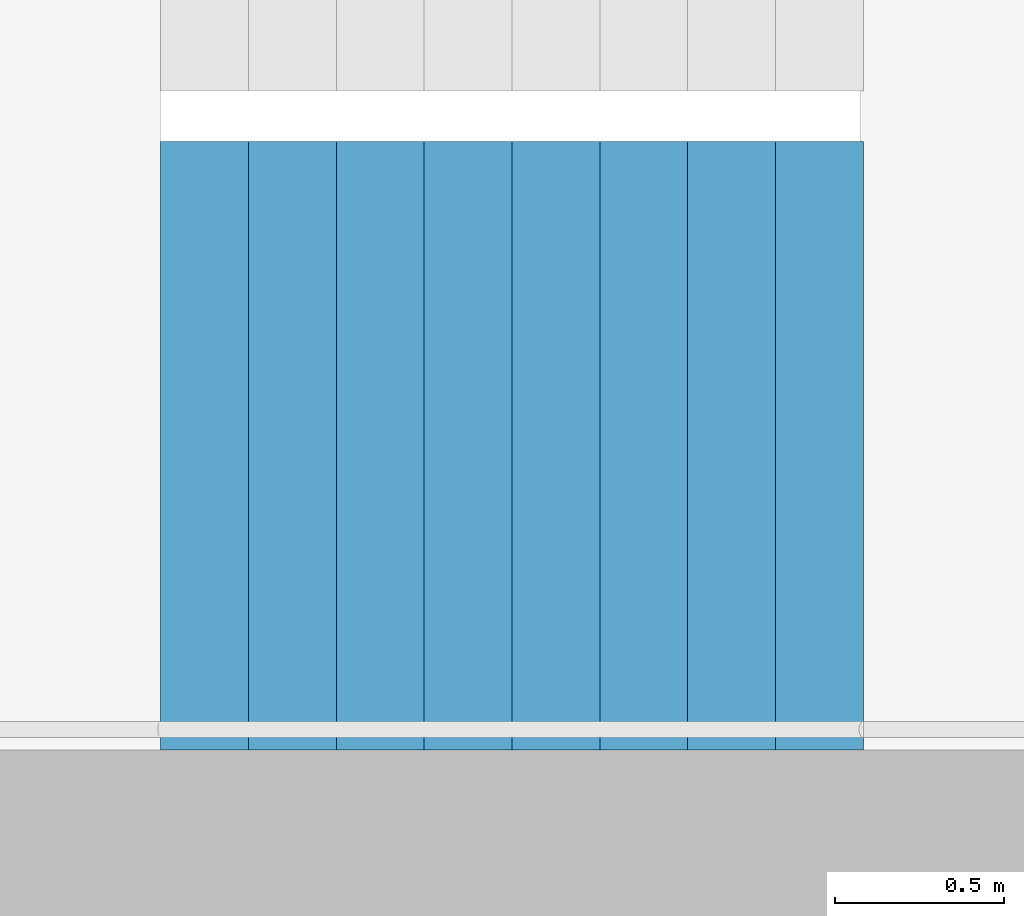
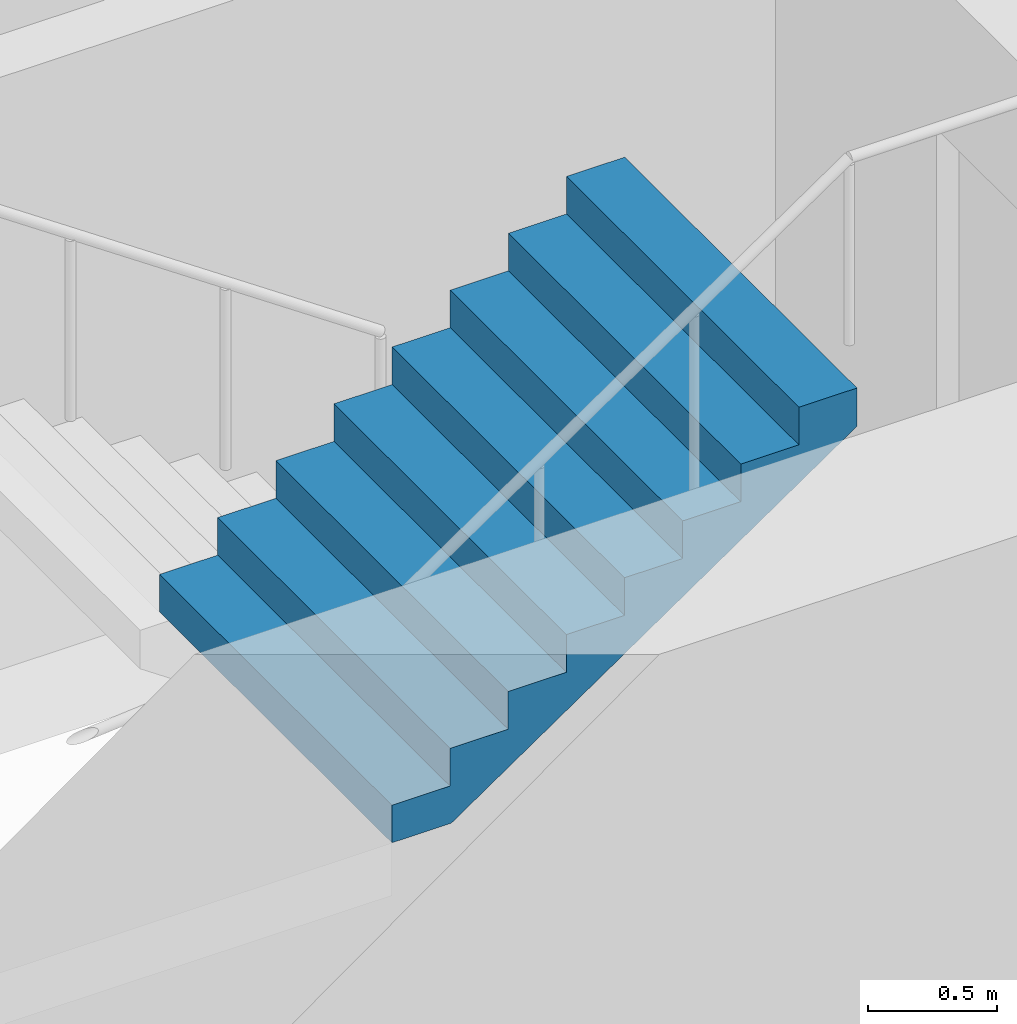
# One storey, part 20 of 28: 1 stair flight, 1 element without a shape of its own.
"""IFC4 building model written with IfcOpenShell, lengths in metres."""

from ifc_helpers import new_model, si_unit, direction, frame, origin, place, context, subcontext, project, spatial, triangles, material, type_object, element, aggregate, save


model = new_model("IFC4")

# Units and contexts
model_context = context("Model", 3, precision=1e-05, world=origin(), true_north=direction((0.0, 1.0)))
body_context = subcontext(model_context, "Body", "Model", "MODEL_VIEW")
ifc_project = project(units=[si_unit("LENGTHUNIT", "METRE"), si_unit("AREAUNIT", "SQUARE_METRE"), si_unit("VOLUMEUNIT", "CUBIC_METRE"), si_unit("PLANEANGLEUNIT", "RADIAN"), si_unit("MASSUNIT", "GRAM", prefix="KILO")], contexts=[model_context])

# Site, building, storey
site_placement = place(None, origin())
site = spatial("IfcSite", under=ifc_project, at=site_placement, CompositionType="ELEMENT")
building_placement = place(site_placement, origin())
building = spatial("IfcBuilding", under=site, at=building_placement, Name="Hakoniwa Tower and Hamabe Station Hall", CompositionType="ELEMENT")
storey_placement = place(building_placement, frame((0.0, 0.0, 58.199951171875)))
storey = spatial("IfcBuildingStorey", under=building, at=storey_placement, Name="L16", CompositionType="ELEMENT", Elevation=58.199951171875)

# Stair, stair flight
ifc_material_1 = material(Name="Concrete C40", Category="concrete")
stair_type = type_object("IfcStairType", Name="ESCAPE STAIR 1800", PredefinedType="HALF_TURN_STAIR", material=ifc_material_1)
stair_placement = place(storey_placement, origin())
stair = element("IfcStair", 1, at=stair_placement, inside=storey, type_object=stair_type, Name="Escape stair ST-2 L16", PredefinedType="HALF_TURN_STAIR")
ifc_material_2 = material(Name="Concrete C40", Category="concrete")
stair_flight_type = type_object("IfcStairFlightType", Name="STAIR FLIGHT 1800", PredefinedType="STRAIGHT", material=ifc_material_2)
stair_flight_placement = place(storey_placement, frame((-25.47998046875, -6.60009765625, 1.60009765625), z_axis=(0.0, 0.0, 1.0), x_axis=(1.0, 0.0, 0.0)))
stair_flight = element("IfcStairFlight", 2, at=stair_flight_placement, type_object=stair_flight_type, Name="ST-2 flight 2", NumberOfRisers=9, NumberOfTreads=8, PredefinedType="STRAIGHT", RiserHeight=0.177777778, TreadLength=0.26, context=body_context, shape_type="Tessellation", body=[
    triangles([(0.0, 0.89990234375, 0.0), (0.260009765625, 0.89990234375, 0.0), (0.265625, 0.89990234375, 0.0), (0.52001953125, 0.89990234375, 0.174072265625), (0.780029296875, 0.89990234375, 0.351806640625), (1.0400390625, 0.89990234375, 0.529541015625), (1.300048828125, 0.89990234375, 0.707275390625), (1.56005859375, 0.89990234375, 0.885009765625), (1.820068359375, 0.89990234375, 1.062744140625), (2.080078125, 0.89990234375, 1.24072265625), (2.080078125, 0.89990234375, 1.422119140625), (1.820068359375, 0.89990234375, 1.422119140625), (1.820068359375, 0.89990234375, 1.244384765625), (1.56005859375, 0.89990234375, 1.244384765625), (1.56005859375, 0.89990234375, 1.066650390625), (1.300048828125, 0.89990234375, 1.066650390625), (1.300048828125, 0.89990234375, 0.888916015625), (1.0400390625, 0.89990234375, 0.888916015625), (1.0400390625, 0.89990234375, 0.711181640625), (0.780029296875, 0.89990234375, 0.711181640625), (0.780029296875, 0.89990234375, 0.533447265625), (0.52001953125, 0.89990234375, 0.533447265625), (0.52001953125, 0.89990234375, 0.35546875), (0.265625, 0.89990234375, 0.35546875), (0.260009765625, 0.89990234375, 0.35546875), (0.260009765625, 0.89990234375, 0.177734375), (0.0, 0.89990234375, 0.177734375), (0.0, 0.06005859375, 0.0), (0.260009765625, 0.06005859375, 0.0), (0.265625, 0.06005859375, 0.0), (0.52001953125, 0.06005859375, 0.174072265625), (0.780029296875, 0.06005859375, 0.351806640625), (1.0400390625, 0.06005859375, 0.529541015625), (1.300048828125, 0.06005859375, 0.707275390625), (1.56005859375, 0.06005859375, 0.885009765625), (1.820068359375, 0.06005859375, 1.062744140625), (2.080078125, 0.06005859375, 1.24072265625), (2.080078125, 0.06005859375, 1.422119140625), (1.820068359375, 0.06005859375, 1.422119140625), (1.820068359375, 0.06005859375, 1.244384765625), (1.56005859375, 0.06005859375, 1.244384765625), (1.56005859375, 0.06005859375, 1.066650390625), (1.300048828125, 0.06005859375, 1.066650390625), (1.300048828125, 0.06005859375, 0.888916015625), (1.0400390625, 0.06005859375, 0.888916015625), (1.0400390625, 0.06005859375, 0.711181640625), (0.780029296875, 0.06005859375, 0.711181640625), (0.780029296875, 0.06005859375, 0.533447265625), (0.52001953125, 0.06005859375, 0.533447265625), (0.52001953125, 0.06005859375, 0.35546875), (0.265625, 0.06005859375, 0.35546875), (0.260009765625, 0.06005859375, 0.35546875), (0.260009765625, 0.06005859375, 0.177734375), (0.0, 0.06005859375, 0.177734375), (0.0, 0.04296875, 0.0), (0.260009765625, 0.04296875, 0.0), (0.265625, 0.04296875, 0.0), (0.52001953125, 0.04296875, 0.174072265625), (0.780029296875, 0.04296875, 0.351806640625), (1.0400390625, 0.04296875, 0.529541015625), (1.300048828125, 0.04296875, 0.707275390625), (1.56005859375, 0.04296875, 0.885009765625), (1.820068359375, 0.04296875, 1.062744140625), (2.080078125, 0.04296875, 1.24072265625), (2.080078125, 0.04296875, 1.422119140625), (1.820068359375, 0.04296875, 1.422119140625), (1.820068359375, 0.04296875, 1.244384765625), (1.56005859375, 0.04296875, 1.244384765625), (1.56005859375, 0.04296875, 1.066650390625), (1.300048828125, 0.04296875, 1.066650390625), (1.300048828125, 0.04296875, 0.888916015625), (1.0400390625, 0.04296875, 0.888916015625), (1.0400390625, 0.04296875, 0.711181640625), (0.780029296875, 0.04296875, 0.711181640625), (0.780029296875, 0.04296875, 0.533447265625), (0.52001953125, 0.04296875, 0.533447265625), (0.52001953125, 0.04296875, 0.35546875), (0.265625, 0.04296875, 0.35546875), (0.260009765625, 0.04296875, 0.35546875), (0.260009765625, 0.04296875, 0.177734375), (0.0, 0.04296875, 0.177734375), (0.0, 0.025634765625, 0.0), (0.260009765625, 0.025634765625, 0.0), (0.265625, 0.025634765625, 0.0), (0.52001953125, 0.025634765625, 0.174072265625), (0.780029296875, 0.025634765625, 0.351806640625), (1.0400390625, 0.025634765625, 0.529541015625), (1.300048828125, 0.025634765625, 0.707275390625), (1.56005859375, 0.025634765625, 0.885009765625), (1.820068359375, 0.025634765625, 1.062744140625), (2.080078125, 0.025634765625, 1.24072265625), (2.080078125, 0.025634765625, 1.422119140625), (1.820068359375, 0.025634765625, 1.422119140625), (1.820068359375, 0.025634765625, 1.244384765625), (1.56005859375, 0.025634765625, 1.244384765625), (1.56005859375, 0.025634765625, 1.066650390625), (1.300048828125, 0.025634765625, 1.066650390625), (1.300048828125, 0.025634765625, 0.888916015625), (1.0400390625, 0.025634765625, 0.888916015625), (1.0400390625, 0.025634765625, 0.711181640625), (0.780029296875, 0.025634765625, 0.711181640625), (0.780029296875, 0.025634765625, 0.533447265625), (0.52001953125, 0.025634765625, 0.533447265625), (0.52001953125, 0.025634765625, 0.35546875), (0.265625, 0.025634765625, 0.35546875), (0.260009765625, 0.025634765625, 0.35546875), (0.260009765625, 0.025634765625, 0.177734375), (0.0, 0.025634765625, 0.177734375), (0.0, 0.008544921875, 0.0), (0.260009765625, 0.008544921875, 0.0), (0.265625, 0.008544921875, 0.0), (0.52001953125, 0.008544921875, 0.174072265625), (0.780029296875, 0.008544921875, 0.351806640625), (1.0400390625, 0.008544921875, 0.529541015625), (1.300048828125, 0.008544921875, 0.707275390625), (1.56005859375, 0.008544921875, 0.885009765625), (1.820068359375, 0.008544921875, 1.062744140625), (2.080078125, 0.008544921875, 1.24072265625), (2.080078125, 0.008544921875, 1.422119140625), (1.820068359375, 0.008544921875, 1.422119140625), (1.820068359375, 0.008544921875, 1.244384765625), (1.56005859375, 0.008544921875, 1.244384765625), (1.56005859375, 0.008544921875, 1.066650390625), (1.300048828125, 0.008544921875, 1.066650390625), (1.300048828125, 0.008544921875, 0.888916015625), (1.0400390625, 0.008544921875, 0.888916015625), (1.0400390625, 0.008544921875, 0.711181640625), (0.780029296875, 0.008544921875, 0.711181640625), (0.780029296875, 0.008544921875, 0.533447265625), (0.52001953125, 0.008544921875, 0.533447265625), (0.52001953125, 0.008544921875, 0.35546875), (0.265625, 0.008544921875, 0.35546875), (0.260009765625, 0.008544921875, 0.35546875), (0.260009765625, 0.008544921875, 0.177734375), (0.0, 0.008544921875, 0.177734375), (0.0, -0.008544921875, 0.0), (0.260009765625, -0.008544921875, 0.0), (0.265625, -0.008544921875, 0.0), (0.52001953125, -0.008544921875, 0.174072265625), (0.780029296875, -0.008544921875, 0.351806640625), (1.0400390625, -0.008544921875, 0.529541015625), (1.300048828125, -0.008544921875, 0.707275390625), (1.56005859375, -0.008544921875, 0.885009765625), (1.820068359375, -0.008544921875, 1.062744140625), (2.080078125, -0.008544921875, 1.24072265625), (2.080078125, -0.008544921875, 1.422119140625), (1.820068359375, -0.008544921875, 1.422119140625), (1.820068359375, -0.008544921875, 1.244384765625), (1.56005859375, -0.008544921875, 1.244384765625), (1.56005859375, -0.008544921875, 1.066650390625), (1.300048828125, -0.008544921875, 1.066650390625), (1.300048828125, -0.008544921875, 0.888916015625), (1.0400390625, -0.008544921875, 0.888916015625), (1.0400390625, -0.008544921875, 0.711181640625), (0.780029296875, -0.008544921875, 0.711181640625), (0.780029296875, -0.008544921875, 0.533447265625), (0.52001953125, -0.008544921875, 0.533447265625), (0.52001953125, -0.008544921875, 0.35546875), (0.265625, -0.008544921875, 0.35546875), (0.260009765625, -0.008544921875, 0.35546875), (0.260009765625, -0.008544921875, 0.177734375), (0.0, -0.008544921875, 0.177734375), (0.0, -0.025634765625, 0.0), (0.260009765625, -0.025634765625, 0.0), (0.265625, -0.025634765625, 0.0), (0.52001953125, -0.025634765625, 0.174072265625), (0.780029296875, -0.025634765625, 0.351806640625), (1.0400390625, -0.025634765625, 0.529541015625), (1.300048828125, -0.025634765625, 0.707275390625), (1.56005859375, -0.025634765625, 0.885009765625), (1.820068359375, -0.025634765625, 1.062744140625), (2.080078125, -0.025634765625, 1.24072265625), (2.080078125, -0.025634765625, 1.422119140625), (1.820068359375, -0.025634765625, 1.422119140625), (1.820068359375, -0.025634765625, 1.244384765625), (1.56005859375, -0.025634765625, 1.244384765625), (1.56005859375, -0.025634765625, 1.066650390625), (1.300048828125, -0.025634765625, 1.066650390625), (1.300048828125, -0.025634765625, 0.888916015625), (1.0400390625, -0.025634765625, 0.888916015625), (1.0400390625, -0.025634765625, 0.711181640625), (0.780029296875, -0.025634765625, 0.711181640625), (0.780029296875, -0.025634765625, 0.533447265625), (0.52001953125, -0.025634765625, 0.533447265625), (0.52001953125, -0.025634765625, 0.35546875), (0.265625, -0.025634765625, 0.35546875), (0.260009765625, -0.025634765625, 0.35546875), (0.260009765625, -0.025634765625, 0.177734375), (0.0, -0.025634765625, 0.177734375), (0.0, -0.04296875, 0.0), (0.260009765625, -0.04296875, 0.0), (0.265625, -0.04296875, 0.0), (0.52001953125, -0.04296875, 0.174072265625), (0.780029296875, -0.04296875, 0.351806640625), (1.0400390625, -0.04296875, 0.529541015625), (1.300048828125, -0.04296875, 0.707275390625), (1.56005859375, -0.04296875, 0.885009765625), (1.820068359375, -0.04296875, 1.062744140625), (2.080078125, -0.04296875, 1.24072265625), (2.080078125, -0.04296875, 1.422119140625), (1.820068359375, -0.04296875, 1.422119140625), (1.820068359375, -0.04296875, 1.244384765625), (1.56005859375, -0.04296875, 1.244384765625), (1.56005859375, -0.04296875, 1.066650390625), (1.300048828125, -0.04296875, 1.066650390625), (1.300048828125, -0.04296875, 0.888916015625), (1.0400390625, -0.04296875, 0.888916015625), (1.0400390625, -0.04296875, 0.711181640625), (0.780029296875, -0.04296875, 0.711181640625), (0.780029296875, -0.04296875, 0.533447265625), (0.52001953125, -0.04296875, 0.533447265625), (0.52001953125, -0.04296875, 0.35546875), (0.265625, -0.04296875, 0.35546875), (0.260009765625, -0.04296875, 0.35546875), (0.260009765625, -0.04296875, 0.177734375), (0.0, -0.04296875, 0.177734375), (0.0, -0.06005859375, 0.0), (0.260009765625, -0.06005859375, 0.0), (0.265625, -0.06005859375, 0.0), (0.52001953125, -0.06005859375, 0.174072265625), (0.780029296875, -0.06005859375, 0.351806640625), (1.0400390625, -0.06005859375, 0.529541015625), (1.300048828125, -0.06005859375, 0.707275390625), (1.56005859375, -0.06005859375, 0.885009765625), (1.820068359375, -0.06005859375, 1.062744140625), (2.080078125, -0.06005859375, 1.24072265625), (2.080078125, -0.06005859375, 1.422119140625), (1.820068359375, -0.06005859375, 1.422119140625), (1.820068359375, -0.06005859375, 1.244384765625), (1.56005859375, -0.06005859375, 1.244384765625), (1.56005859375, -0.06005859375, 1.066650390625), (1.300048828125, -0.06005859375, 1.066650390625), (1.300048828125, -0.06005859375, 0.888916015625), (1.0400390625, -0.06005859375, 0.888916015625), (1.0400390625, -0.06005859375, 0.711181640625), (0.780029296875, -0.06005859375, 0.711181640625), (0.780029296875, -0.06005859375, 0.533447265625), (0.52001953125, -0.06005859375, 0.533447265625), (0.52001953125, -0.06005859375, 0.35546875), (0.265625, -0.06005859375, 0.35546875), (0.260009765625, -0.06005859375, 0.35546875), (0.260009765625, -0.06005859375, 0.177734375), (0.0, -0.06005859375, 0.177734375), (0.0, -0.89990234375, 0.0), (0.260009765625, -0.89990234375, 0.0), (0.265625, -0.89990234375, 0.0), (0.52001953125, -0.89990234375, 0.174072265625), (0.780029296875, -0.89990234375, 0.351806640625), (1.0400390625, -0.89990234375, 0.529541015625), (1.300048828125, -0.89990234375, 0.707275390625), (1.56005859375, -0.89990234375, 0.885009765625), (1.820068359375, -0.89990234375, 1.062744140625), (2.080078125, -0.89990234375, 1.24072265625), (2.080078125, -0.89990234375, 1.422119140625), (1.820068359375, -0.89990234375, 1.422119140625), (1.820068359375, -0.89990234375, 1.244384765625), (1.56005859375, -0.89990234375, 1.244384765625), (1.56005859375, -0.89990234375, 1.066650390625), (1.300048828125, -0.89990234375, 1.066650390625), (1.300048828125, -0.89990234375, 0.888916015625), (1.0400390625, -0.89990234375, 0.888916015625), (1.0400390625, -0.89990234375, 0.711181640625), (0.780029296875, -0.89990234375, 0.711181640625), (0.780029296875, -0.89990234375, 0.533447265625), (0.52001953125, -0.89990234375, 0.533447265625), (0.52001953125, -0.89990234375, 0.35546875), (0.265625, -0.89990234375, 0.35546875), (0.260009765625, -0.89990234375, 0.35546875), (0.260009765625, -0.89990234375, 0.177734375), (0.0, -0.89990234375, 0.177734375)], [[2, 27, 26], [245, 269, 270], [2, 1, 27], [245, 270, 244], [3, 25, 24], [246, 267, 268], [3, 26, 25], [246, 268, 269], [3, 2, 26], [246, 269, 245], [4, 24, 23], [247, 266, 267], [4, 3, 24], [247, 267, 246], [5, 22, 21], [248, 264, 265], [5, 23, 22], [248, 265, 266], [5, 4, 23], [248, 266, 247], [6, 20, 19], [249, 262, 263], [6, 21, 20], [249, 263, 264], [6, 5, 21], [249, 264, 248], [7, 18, 17], [250, 260, 261], [7, 19, 18], [250, 261, 262], [7, 6, 19], [250, 262, 249], [8, 16, 15], [251, 258, 259], [8, 17, 16], [251, 259, 260], [8, 7, 17], [251, 260, 250], [9, 14, 13], [252, 256, 257], [9, 15, 14], [252, 257, 258], [9, 8, 15], [252, 258, 251], [10, 12, 11], [253, 254, 255], [10, 13, 12], [253, 255, 256], [10, 9, 13], [253, 256, 252], [1, 2, 29], [1, 29, 28], [28, 29, 56], [28, 56, 55], [55, 56, 83], [55, 83, 82], [82, 83, 110], [82, 110, 109], [109, 110, 137], [109, 137, 136], [136, 137, 164], [136, 164, 163], [163, 164, 191], [163, 191, 190], [190, 191, 218], [190, 218, 217], [217, 218, 245], [217, 245, 244], [2, 3, 30], [2, 30, 29], [29, 30, 57], [29, 57, 56], [56, 57, 84], [56, 84, 83], [83, 84, 111], [83, 111, 110], [110, 111, 138], [110, 138, 137], [137, 138, 165], [137, 165, 164], [164, 165, 192], [164, 192, 191], [191, 192, 219], [191, 219, 218], [218, 219, 246], [218, 246, 245], [3, 4, 31], [3, 31, 30], [30, 31, 58], [30, 58, 57], [57, 58, 85], [57, 85, 84], [84, 85, 112], [84, 112, 111], [111, 112, 139], [111, 139, 138], [138, 139, 166], [138, 166, 165], [165, 166, 193], [165, 193, 192], [192, 193, 220], [192, 220, 219], [219, 220, 247], [219, 247, 246], [4, 5, 32], [4, 32, 31], [31, 32, 59], [31, 59, 58], [58, 59, 86], [58, 86, 85], [85, 86, 113], [85, 113, 112], [112, 113, 140], [112, 140, 139], [139, 140, 167], [139, 167, 166], [166, 167, 194], [166, 194, 193], [193, 194, 221], [193, 221, 220], [220, 221, 248], [220, 248, 247], [5, 6, 33], [5, 33, 32], [32, 33, 60], [32, 60, 59], [59, 60, 87], [59, 87, 86], [86, 87, 114], [86, 114, 113], [113, 114, 141], [113, 141, 140], [140, 141, 168], [140, 168, 167], [167, 168, 195], [167, 195, 194], [194, 195, 222], [194, 222, 221], [221, 222, 249], [221, 249, 248], [6, 7, 34], [6, 34, 33], [33, 34, 61], [33, 61, 60], [60, 61, 88], [60, 88, 87], [87, 88, 115], [87, 115, 114], [114, 115, 142], [114, 142, 141], [141, 142, 169], [141, 169, 168], [168, 169, 196], [168, 196, 195], [195, 196, 223], [195, 223, 222], [222, 223, 250], [222, 250, 249], [7, 8, 35], [7, 35, 34], [34, 35, 62], [34, 62, 61], [61, 62, 89], [61, 89, 88], [88, 89, 116], [88, 116, 115], [115, 116, 143], [115, 143, 142], [142, 143, 170], [142, 170, 169], [169, 170, 197], [169, 197, 196], [196, 197, 224], [196, 224, 223], [223, 224, 251], [223, 251, 250], [8, 9, 36], [8, 36, 35], [35, 36, 63], [35, 63, 62], [62, 63, 90], [62, 90, 89], [89, 90, 117], [89, 117, 116], [116, 117, 144], [116, 144, 143], [143, 144, 171], [143, 171, 170], [170, 171, 198], [170, 198, 197], [197, 198, 225], [197, 225, 224], [224, 225, 252], [224, 252, 251], [9, 10, 37], [9, 37, 36], [36, 37, 64], [36, 64, 63], [63, 64, 91], [63, 91, 90], [90, 91, 118], [90, 118, 117], [117, 118, 145], [117, 145, 144], [144, 145, 172], [144, 172, 171], [171, 172, 199], [171, 199, 198], [198, 199, 226], [198, 226, 225], [225, 226, 253], [225, 253, 252], [10, 11, 38], [10, 38, 37], [37, 38, 65], [37, 65, 64], [64, 65, 92], [64, 92, 91], [91, 92, 119], [91, 119, 118], [118, 119, 146], [118, 146, 145], [145, 146, 173], [145, 173, 172], [172, 173, 200], [172, 200, 199], [199, 200, 227], [199, 227, 226], [226, 227, 254], [226, 254, 253], [11, 12, 39], [11, 39, 38], [38, 39, 66], [38, 66, 65], [65, 66, 93], [65, 93, 92], [92, 93, 120], [92, 120, 119], [119, 120, 147], [119, 147, 146], [146, 147, 174], [146, 174, 173], [173, 174, 201], [173, 201, 200], [200, 201, 228], [200, 228, 227], [227, 228, 255], [227, 255, 254], [12, 13, 40], [12, 40, 39], [39, 40, 67], [39, 67, 66], [66, 67, 94], [66, 94, 93], [93, 94, 121], [93, 121, 120], [120, 121, 148], [120, 148, 147], [147, 148, 175], [147, 175, 174], [174, 175, 202], [174, 202, 201], [201, 202, 229], [201, 229, 228], [228, 229, 256], [228, 256, 255], [13, 14, 41], [13, 41, 40], [40, 41, 68], [40, 68, 67], [67, 68, 95], [67, 95, 94], [94, 95, 122], [94, 122, 121], [121, 122, 149], [121, 149, 148], [148, 149, 176], [148, 176, 175], [175, 176, 203], [175, 203, 202], [202, 203, 230], [202, 230, 229], [229, 230, 257], [229, 257, 256], [14, 15, 42], [14, 42, 41], [41, 42, 69], [41, 69, 68], [68, 69, 96], [68, 96, 95], [95, 96, 123], [95, 123, 122], [122, 123, 150], [122, 150, 149], [149, 150, 177], [149, 177, 176], [176, 177, 204], [176, 204, 203], [203, 204, 231], [203, 231, 230], [230, 231, 258], [230, 258, 257], [15, 16, 43], [15, 43, 42], [42, 43, 70], [42, 70, 69], [69, 70, 97], [69, 97, 96], [96, 97, 124], [96, 124, 123], [123, 124, 151], [123, 151, 150], [150, 151, 178], [150, 178, 177], [177, 178, 205], [177, 205, 204], [204, 205, 232], [204, 232, 231], [231, 232, 259], [231, 259, 258], [16, 17, 44], [16, 44, 43], [43, 44, 71], [43, 71, 70], [70, 71, 98], [70, 98, 97], [97, 98, 125], [97, 125, 124], [124, 125, 152], [124, 152, 151], [151, 152, 179], [151, 179, 178], [178, 179, 206], [178, 206, 205], [205, 206, 233], [205, 233, 232], [232, 233, 260], [232, 260, 259], [17, 18, 45], [17, 45, 44], [44, 45, 72], [44, 72, 71], [71, 72, 99], [71, 99, 98], [98, 99, 126], [98, 126, 125], [125, 126, 153], [125, 153, 152], [152, 153, 180], [152, 180, 179], [179, 180, 207], [179, 207, 206], [206, 207, 234], [206, 234, 233], [233, 234, 261], [233, 261, 260], [18, 19, 46], [18, 46, 45], [45, 46, 73], [45, 73, 72], [72, 73, 100], [72, 100, 99], [99, 100, 127], [99, 127, 126], [126, 127, 154], [126, 154, 153], [153, 154, 181], [153, 181, 180], [180, 181, 208], [180, 208, 207], [207, 208, 235], [207, 235, 234], [234, 235, 262], [234, 262, 261], [19, 20, 47], [19, 47, 46], [46, 47, 74], [46, 74, 73], [73, 74, 101], [73, 101, 100], [100, 101, 128], [100, 128, 127], [127, 128, 155], [127, 155, 154], [154, 155, 182], [154, 182, 181], [181, 182, 209], [181, 209, 208], [208, 209, 236], [208, 236, 235], [235, 236, 263], [235, 263, 262], [20, 21, 48], [20, 48, 47], [47, 48, 75], [47, 75, 74], [74, 75, 102], [74, 102, 101], [101, 102, 129], [101, 129, 128], [128, 129, 156], [128, 156, 155], [155, 156, 183], [155, 183, 182], [182, 183, 210], [182, 210, 209], [209, 210, 237], [209, 237, 236], [236, 237, 264], [236, 264, 263], [21, 22, 49], [21, 49, 48], [48, 49, 76], [48, 76, 75], [75, 76, 103], [75, 103, 102], [102, 103, 130], [102, 130, 129], [129, 130, 157], [129, 157, 156], [156, 157, 184], [156, 184, 183], [183, 184, 211], [183, 211, 210], [210, 211, 238], [210, 238, 237], [237, 238, 265], [237, 265, 264], [22, 23, 50], [22, 50, 49], [49, 50, 77], [49, 77, 76], [76, 77, 104], [76, 104, 103], [103, 104, 131], [103, 131, 130], [130, 131, 158], [130, 158, 157], [157, 158, 185], [157, 185, 184], [184, 185, 212], [184, 212, 211], [211, 212, 239], [211, 239, 238], [238, 239, 266], [238, 266, 265], [23, 24, 51], [23, 51, 50], [50, 51, 78], [50, 78, 77], [77, 78, 105], [77, 105, 104], [104, 105, 132], [104, 132, 131], [131, 132, 159], [131, 159, 158], [158, 159, 186], [158, 186, 185], [185, 186, 213], [185, 213, 212], [212, 213, 240], [212, 240, 239], [239, 240, 267], [239, 267, 266], [24, 25, 52], [24, 52, 51], [51, 52, 79], [51, 79, 78], [78, 79, 106], [78, 106, 105], [105, 106, 133], [105, 133, 132], [132, 133, 160], [132, 160, 159], [159, 160, 187], [159, 187, 186], [186, 187, 214], [186, 214, 213], [213, 214, 241], [213, 241, 240], [240, 241, 268], [240, 268, 267], [25, 26, 53], [25, 53, 52], [52, 53, 80], [52, 80, 79], [79, 80, 107], [79, 107, 106], [106, 107, 134], [106, 134, 133], [133, 134, 161], [133, 161, 160], [160, 161, 188], [160, 188, 187], [187, 188, 215], [187, 215, 214], [214, 215, 242], [214, 242, 241], [241, 242, 269], [241, 269, 268], [26, 27, 54], [26, 54, 53], [53, 54, 81], [53, 81, 80], [80, 81, 108], [80, 108, 107], [107, 108, 135], [107, 135, 134], [134, 135, 162], [134, 162, 161], [161, 162, 189], [161, 189, 188], [188, 189, 216], [188, 216, 215], [215, 216, 243], [215, 243, 242], [242, 243, 270], [242, 270, 269], [27, 1, 28], [27, 28, 54], [54, 28, 55], [54, 55, 81], [81, 55, 82], [81, 82, 108], [108, 82, 109], [108, 109, 135], [135, 109, 136], [135, 136, 162], [162, 136, 163], [162, 163, 189], [189, 163, 190], [189, 190, 216], [216, 190, 217], [216, 217, 243], [243, 217, 244], [243, 244, 270]], closed=True),
])
aggregate(stair, [stair_flight])

save(model, "model.ifc")
